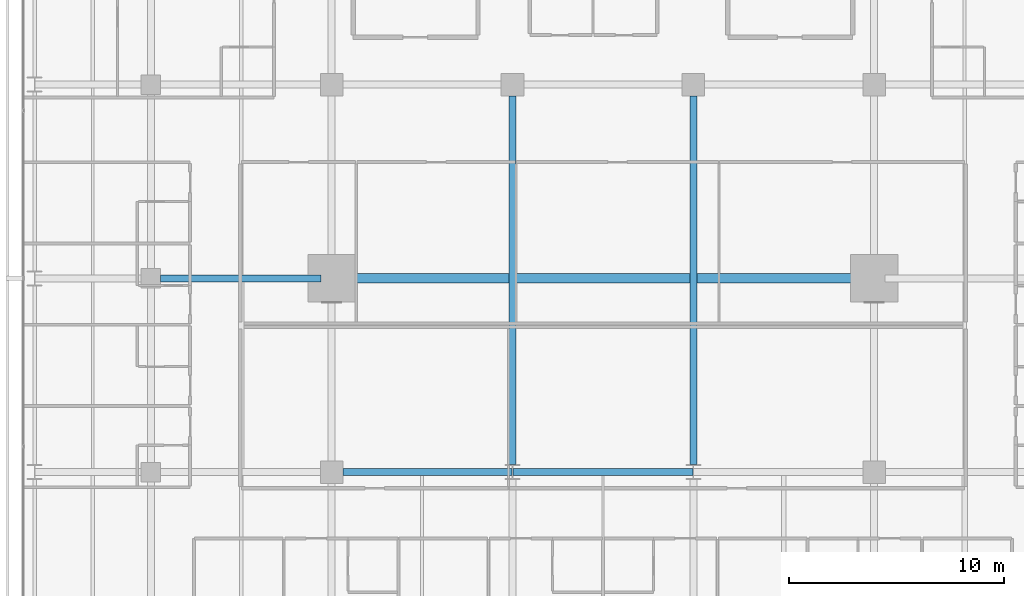
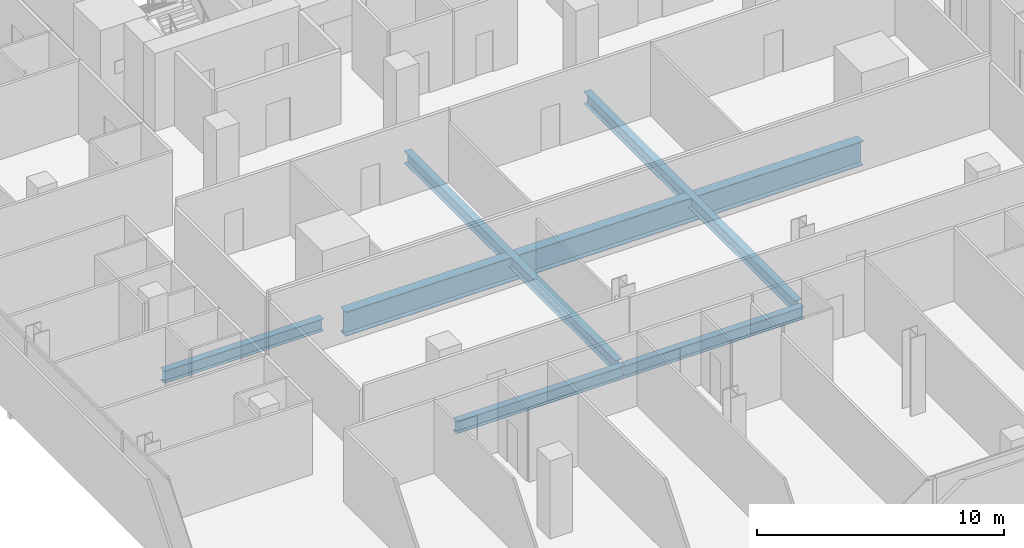
# One storey, part 13 of 40: 6 beams.
"""IFC4 building model written with IfcOpenShell, lengths in metres."""

from ifc_helpers import new_model, si_unit, direction, frame, origin, origin_2d, place, context, subcontext, project, spatial, i_section, extrude, material, material_profile, profile_set, type_object, element, save


model = new_model("IFC4")

# Units and contexts
model_context = context("Model", 3, precision=1e-05, world=origin(), true_north=direction((0.0, 1.0)))
body_context = subcontext(model_context, "Body", "Model", "MODEL_VIEW")
ifc_project = project(units=[si_unit("LENGTHUNIT", "METRE"), si_unit("AREAUNIT", "SQUARE_METRE"), si_unit("VOLUMEUNIT", "CUBIC_METRE"), si_unit("PLANEANGLEUNIT", "RADIAN"), si_unit("MASSUNIT", "GRAM", prefix="KILO")], contexts=[model_context])

# Site, building, storey
site_placement = place(None, origin())
site = spatial("IfcSite", under=ifc_project, at=site_placement, CompositionType="ELEMENT")
building_placement = place(site_placement, origin())
building = spatial("IfcBuilding", under=site, at=building_placement, Name="Maruvema Waterfront Hotel and Observation Tower", CompositionType="ELEMENT")
storey_placement = place(building_placement, frame((0.0, 0.0, 107.800048828125)))
storey = spatial("IfcBuildingStorey", under=building, at=storey_placement, Name="L26", CompositionType="ELEMENT", Elevation=107.800048828125)

# Beams
ifc_material_1 = material(Name="Steel ASTM A572 Grade 50", Category="steel")
ifc_material_profile_1 = material_profile(ifc_material_1, i_section(OverallWidth=0.323974609375, OverallDepth=0.611083984375, WebThickness=0.0126953125, FlangeThickness=0.01904296875, FilletRadius=0.01806640625, at=origin_2d()), Name="W610x155.0")
ifc_profile_set_1 = profile_set([ifc_material_profile_1], Name="Steel ASTM A572 Grade 50")
beam_type_1 = type_object("IfcBeamType", Name="Primary Floor Girder W610x155.0", PredefinedType="BEAM", material=ifc_profile_set_1)
beam_1_placement = place(storey_placement, frame((25.72509765625, 18.0, -0.545654296875), z_axis=(1.0, 0.0, 0.0), x_axis=(0.0, 1.0, 0.0)))
element("IfcBeam", 1, at=beam_1_placement, inside=storey, type_object=beam_type_1, Name="L26 Floor Girder EW-15", PredefinedType="BEAM", context=body_context, shape_type="SweptSolid", body=[
    extrude(i_section(OverallWidth=0.323974609375, OverallDepth=0.611083984375, WebThickness=0.0126953125, FlangeThickness=0.01904296875, FilletRadius=0.01806640625, at=origin_2d()), origin(), (0.0, 0.0, 1.0), 7.86083984375),
])
beam_2_placement = place(storey_placement, frame((33.614013671875, 18.0, -0.545654296875), z_axis=(1.0, 0.0, 0.0), x_axis=(0.0, 1.0, 0.0)))
element("IfcBeam", 2, at=beam_2_placement, inside=storey, type_object=beam_type_1, Name="L26 Floor Girder EW-16", PredefinedType="BEAM", context=body_context, shape_type="SweptSolid", body=[
    extrude(i_section(OverallWidth=0.323974609375, OverallDepth=0.611083984375, WebThickness=0.0126953125, FlangeThickness=0.01904296875, FilletRadius=0.01806640625, at=origin_2d()), origin(), (0.0, 0.0, 1.0), 8.3720703125),
])
beam_3_placement = place(storey_placement, frame((17.25, 27.0, -0.545654296875), z_axis=(1.0, 0.0, 0.0), x_axis=(0.0, 1.0, 0.0)))
element("IfcBeam", 3, at=beam_3_placement, inside=storey, type_object=beam_type_1, Name="L26 Floor Girder EW-21", PredefinedType="BEAM", context=body_context, shape_type="SweptSolid", body=[
    extrude(i_section(OverallWidth=0.323974609375, OverallDepth=0.611083984375, WebThickness=0.0126953125, FlangeThickness=0.01904296875, FilletRadius=0.01806640625, at=origin_2d()), origin(), (0.0, 0.0, 1.0), 7.449951171875),
])
for number, where, z_axis, x_axis, name in (
    (4, (33.60009765625, 18.35009765625, -0.545654296875), (0.0, 1.0, 0.0), (-1.0, 0.0, 0.0), "L26 Floor Girder NS-18"),
    (5, (42.0, 18.35009765625, -0.545654296875), (0.0, 1.0, 0.0), (-1.0, 0.0, 0.0), "L26 Floor Girder NS-21"),
):
    element("IfcBeam", number, at=place(storey_placement, frame(where, z_axis=z_axis, x_axis=x_axis)), inside=storey, type_object=beam_type_1, Name=name, PredefinedType="BEAM", context=body_context, shape_type="SweptSolid", body=[
        extrude(i_section(OverallWidth=0.323974609375, OverallDepth=0.611083984375, WebThickness=0.0126953125, FlangeThickness=0.01904296875, FilletRadius=0.01806640625, at=origin_2d()), origin(), (0.0, 0.0, 1.0), 17.125),
    ])
ifc_material_2 = material(Name="Steel ABNT NBR 7007 AR 415 (ASTM A572 Grade 50)", Category="steel")
ifc_material_profile_2 = material_profile(ifc_material_2, i_section(OverallWidth=0.449951171875, OverallDepth=1.199951171875, WebThickness=0.01904296875, FlangeThickness=0.031982421875, at=origin_2d()), Name="VS1200x366")
ifc_profile_set_2 = profile_set([ifc_material_profile_2], Name="Steel ABNT NBR 7007 AR 415 (ASTM A572 Grade 50)")
beam_type_2 = type_object("IfcBeamType", Name="Upper Setback Transfer Girder VS1200x366", PredefinedType="USERDEFINED", material=ifc_profile_set_2)
beam_4_placement = place(storey_placement, frame((25.699951171875, 27.0, -0.840087890625), z_axis=(1.0, 0.0, 0.0), x_axis=(0.0, 1.0, 0.0)))
element("IfcBeam", 6, at=beam_4_placement, inside=storey, type_object=beam_type_2, Name="L26 Floor Girder EW-22", ObjectType="TRANSFER GIRDER", PredefinedType="USERDEFINED", context=body_context, shape_type="SweptSolid", body=[
    extrude(i_section(OverallWidth=0.449951171875, OverallDepth=1.199951171875, WebThickness=0.01904296875, FlangeThickness=0.031982421875, at=origin_2d()), origin(), (0.0, 0.0, 1.0), 24.199951171875),
])

save(model, "model.ifc")
